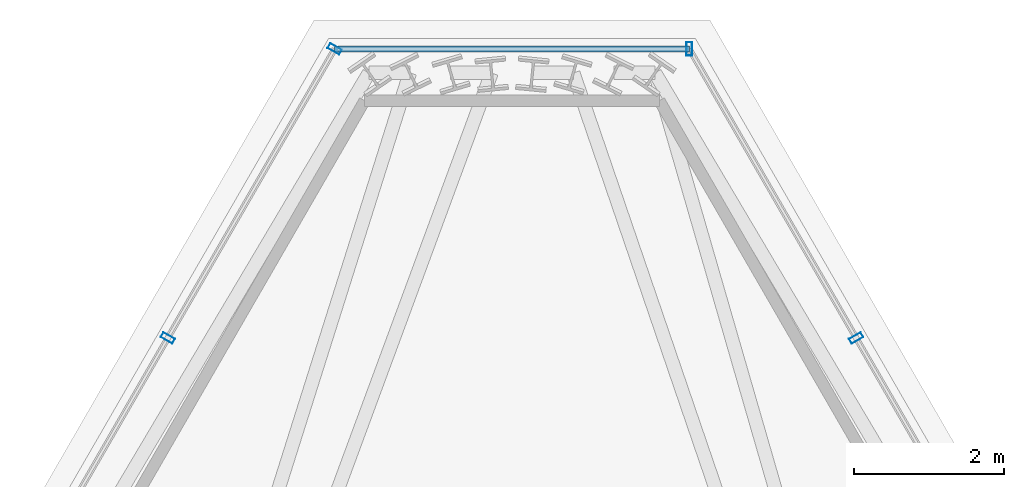
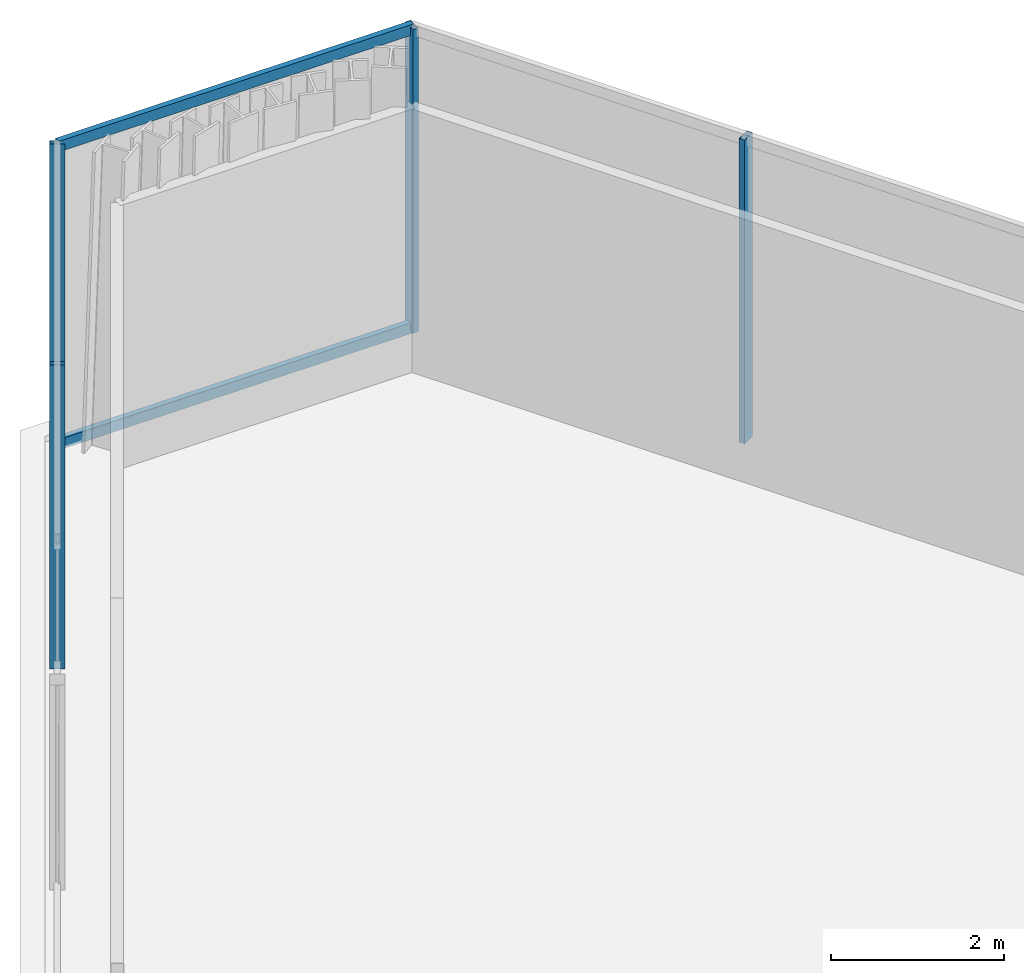
# One storey, part 26 of 32: 6 members, 3 elements without a shape of their own.
"""IFC4 building model written with IfcOpenShell, lengths in metres."""

import ifcopenshell
import ifcopenshell.guid

model = None  # the IFC model being written
_history = None  # IfcOwnerHistory: only IFC2X3 demands one
_inside = {}  # id of a spatial element -> (the spatial element, [elements in it])
_under = {}  # id of a project, library or spatial element -> (it, [spatial elements below it])
_declared = {}  # id of a project -> (the project, [libraries it declares])
_typed = {}  # id of a type object -> (the type object, [elements of that type])
_made_of = {}  # id of a material, layer set ... -> (it, [elements and type objects made of it])


def new_model(schema):
    """Start an empty IFC model of exactly this schema.

    Asked for "IFC4X3", IfcOpenShell would pick the latest addendum, in which some entities
    have other attributes; the version numbers below select the first issue.
    IFC2X3 requires an IfcOwnerHistory on every rooted entity: one is made here for all.
    """
    global model, _history
    if schema == "IFC4X3":
        model = ifcopenshell.file(schema_version=(4, 3, 0, 0))
    else:
        model = ifcopenshell.file(schema=schema)
    _inside.clear()
    _under.clear()
    _declared.clear()
    _typed.clear()
    _made_of.clear()
    _history = None
    if model.schema == "IFC2X3":
        org = make("IfcOrganization", Name="unknown")
        user = make(
            "IfcPersonAndOrganization",
            ThePerson=make("IfcPerson", FamilyName="unknown"),
            TheOrganization=org,
        )
        app = make(
            "IfcApplication",
            ApplicationDeveloper=org,
            Version="unknown",
            ApplicationFullName="unknown",
            ApplicationIdentifier="unknown",
        )
        _history = make(
            "IfcOwnerHistory",
            OwningUser=user,
            OwningApplication=app,
            ChangeAction="ADDED",
            CreationDate=0,
        )
    return model


def make(cls, **values):
    """One entity of the class cls with the attributes given. An attribute that is None is left unset."""
    return model.create_entity(
        cls, **{name: value for name, value in values.items() if value is not None}
    )


def rooted(cls, **values):
    """An entity with a GlobalId (a new one), such as an element, a storey or a relation."""
    return make(cls, GlobalId=ifcopenshell.guid.new(), OwnerHistory=_history, **values)


def si_unit(unit_type, name, prefix=None):
    """IfcSIUnit, for example si_unit("LENGTHUNIT", "METRE", prefix="MILLI")."""
    return make("IfcSIUnit", UnitType=unit_type, Prefix=prefix, Name=name)


def assignment(units):
    """IfcUnitAssignment: the units of a project."""
    return None if units is None else make("IfcUnitAssignment", Units=units)


def point(xyz):
    """IfcCartesianPoint."""
    return None if xyz is None else make("IfcCartesianPoint", Coordinates=xyz)


def direction(xyz):
    """IfcDirection."""
    return None if xyz is None else make("IfcDirection", DirectionRatios=xyz)


def frame(location, z_axis=None, x_axis=None):
    """IfcAxis2Placement3D, a coordinate frame: its origin and axes. An axis left out is left unset."""
    return make(
        "IfcAxis2Placement3D",
        Location=point(location),
        Axis=direction(z_axis),
        RefDirection=direction(x_axis),
    )


def frame_2d(location, x_axis=None):
    """IfcAxis2Placement2D, a coordinate frame in the plane: its origin and x axis."""
    return make(
        "IfcAxis2Placement2D", Location=point(location), RefDirection=direction(x_axis)
    )


def origin():
    """The frame at (0, 0, 0) with its axes left unset."""
    return frame((0.0, 0.0, 0.0))


def origin_2d():
    """The frame at (0, 0) in the plane with its x axis left unset."""
    return frame_2d((0.0, 0.0))


def place(relative_to, where):
    """IfcLocalPlacement: puts the frame where relative to a parent placement (None: the world)."""
    return make(
        "IfcLocalPlacement", PlacementRelTo=relative_to, RelativePlacement=where
    )


def context(
    kind, dimensions, precision=None, world=None, true_north=None, identifier=None
):
    """IfcGeometricRepresentationContext, for example the 3D "Model" context."""
    return make(
        "IfcGeometricRepresentationContext",
        ContextIdentifier=identifier,
        ContextType=kind,
        CoordinateSpaceDimension=dimensions,
        Precision=precision,
        WorldCoordinateSystem=world,
        TrueNorth=true_north,
    )


def subcontext(parent, identifier, kind, view, scale=None):
    """IfcGeometricRepresentationSubContext, for example "Body" below "Model"."""
    return make(
        "IfcGeometricRepresentationSubContext",
        ContextIdentifier=identifier,
        ContextType=kind,
        ParentContext=parent,
        TargetScale=scale,
        TargetView=view,
    )


def project(units=None, contexts=None):
    """IfcProject with its units and contexts."""
    return rooted(
        "IfcProject",
        Name="project",
        RepresentationContexts=contexts,
        UnitsInContext=assignment(units),
    )


def spatial(cls, under=None, at=None, **own):
    """A site, building, storey or space (cls), placed at a placement, below another one or the project."""
    s = rooted(cls, ObjectPlacement=at, **own)
    if under is not None:
        _under.setdefault(under.id(), (under, []))[1].append(s)
    return s


def profile(cls, at=None, kind="AREA", **sizes):
    """A parametric profile (cls). Its sizes go by their IFC names, for example OverallWidth=200.0."""
    return make(cls, ProfileType=kind, Position=at, **sizes)


def hollow_rectangle(**sizes):
    """IfcRectangleHollowProfileDef."""
    return profile("IfcRectangleHollowProfileDef", **sizes)


def extrude(swept, where, along, depth):
    """IfcExtrudedAreaSolid: the profile swept, set in the frame where, extruded along a direction by depth."""
    return make(
        "IfcExtrudedAreaSolid",
        SweptArea=swept,
        Position=where,
        ExtrudedDirection=direction(along),
        Depth=depth,
    )


def shape(context_of_items, identifier, shape_type, items):
    """IfcShapeRepresentation: the items that make up one representation, for example the "Body"."""
    return make(
        "IfcShapeRepresentation",
        ContextOfItems=context_of_items,
        RepresentationIdentifier=identifier,
        RepresentationType=shape_type,
        Items=items,
    )


def material(Name=None, Category=None):
    """IfcMaterial."""
    return make("IfcMaterial", Name=Name, Category=Category)


def layer(
    of_material, thickness, ventilated=None, Name=None, Category=None, Priority=None
):
    """IfcMaterialLayer: one layer of a wall or slab, of a material (None: an air gap)."""
    return make(
        "IfcMaterialLayer",
        Material=of_material,
        LayerThickness=thickness,
        IsVentilated=ventilated,
        Name=Name,
        Category=Category,
        Priority=Priority,
    )


def layer_set(layers, Name=None):
    """IfcMaterialLayerSet."""
    return make("IfcMaterialLayerSet", MaterialLayers=layers, LayerSetName=Name)


def material_profile(
    of_material, cross_section, Name=None, Category=None, Priority=None
):
    """IfcMaterialProfile: a cross section and its material."""
    return make(
        "IfcMaterialProfile",
        Name=Name,
        Material=of_material,
        Profile=cross_section,
        Priority=Priority,
        Category=Category,
    )


def profile_set(profiles, Name=None, composite=None):
    """IfcMaterialProfileSet."""
    return make(
        "IfcMaterialProfileSet",
        Name=Name,
        MaterialProfiles=profiles,
        CompositeProfile=composite,
    )


def made_of(thing, what):
    """Note that an element or type object is made of a material, layer set ...; save() writes the relation."""
    if what is not None:
        _made_of.setdefault(what.id(), (what, []))[1].append(thing)
    return thing


def type_object(cls, material=None, **own):
    """A type object (cls), such as IfcWallType, which elements share."""
    return made_of(rooted(cls, **own), material)


def element(
    cls,
    number,
    at=None,
    inside=None,
    cuts=None,
    type_object=None,
    material=None,
    context=None,
    identifier="Body",
    shape_type=None,
    held_by="IfcProductDefinitionShape",
    body=None,
    shapes=None,
    **own,
):
    """One element of the class cls, such as IfcWall. Its Tag is "e" and its number.

    at: its placement. inside: the storey or other place that contains it. cuts: it is an
    opening in that element (IfcRelVoidsElement). A single representation is given by context,
    identifier, shape_type and body (its items); several are given by shapes. held_by: the class
    of the entity that holds the representations. save() writes the other relations.
    """
    e = rooted(cls, Tag="e%d" % number, ObjectPlacement=at, **own)
    if body is not None:
        shapes = [shape(context, identifier, shape_type, body)]
    if shapes is not None:
        e.Representation = make(held_by, Representations=shapes)
    if inside is not None:
        _inside.setdefault(inside.id(), (inside, []))[1].append(e)
    if cuts is not None:
        rooted(
            "IfcRelVoidsElement", RelatingBuildingElement=cuts, RelatedOpeningElement=e
        )
    if type_object is not None:
        _typed.setdefault(type_object.id(), (type_object, []))[1].append(e)
    return made_of(e, material)


def aggregate(whole, parts):
    """IfcRelAggregates: a whole, such as a stair, and the parts it consists of."""
    return rooted("IfcRelAggregates", RelatingObject=whole, RelatedObjects=parts)


def save(model, path):
    """Write the relations noted so far, then the file.

    IfcRelAggregates (storeys below a building ...), IfcRelContainedInSpatialStructure (elements
    in a storey), IfcRelDefinesByType, IfcRelAssociatesMaterial and IfcRelDeclares: one each for
    every whole, place, type object, material and project.
    """
    for whole, parts in _under.values():
        aggregate(whole, parts)
    for where, things in _inside.values():
        rooted(
            "IfcRelContainedInSpatialStructure",
            RelatedElements=things,
            RelatingStructure=where,
        )
    for kind, things in _typed.values():
        rooted("IfcRelDefinesByType", RelatedObjects=things, RelatingType=kind)
    for what, things in _made_of.values():
        rooted("IfcRelAssociatesMaterial", RelatedObjects=things, RelatingMaterial=what)
    for by, libraries in _declared.values():
        rooted("IfcRelDeclares", RelatingContext=by, RelatedDefinitions=libraries)
    model.write(path)


model = new_model("IFC4")

# Units and contexts
model_context = context("Model", 3, precision=1e-05, world=origin(), true_north=direction((0.0, 1.0)))
body_context = subcontext(model_context, "Body", "Model", "MODEL_VIEW")
ifc_project = project(units=[si_unit("LENGTHUNIT", "METRE"), si_unit("AREAUNIT", "SQUARE_METRE"), si_unit("VOLUMEUNIT", "CUBIC_METRE"), si_unit("PLANEANGLEUNIT", "RADIAN"), si_unit("MASSUNIT", "GRAM", prefix="KILO")], contexts=[model_context])

# Site, building, storey
site_placement = place(None, origin())
site = spatial("IfcSite", under=ifc_project, at=site_placement, CompositionType="ELEMENT")
building_placement = place(site_placement, origin())
building = spatial("IfcBuilding", under=site, at=building_placement, Name="Ndaravel Arena Tower", CompositionType="ELEMENT")
storey_placement = place(building_placement, frame((0.0, 0.0, 278.800048828125)))
storey = spatial("IfcBuildingStorey", under=building, at=storey_placement, Name="L68", CompositionType="ELEMENT", Elevation=278.800048828125)

# Curtain wall, member
ifc_material_1 = material(Name="Aluminium", Category="aluminium")
ifc_layer_1 = layer(ifc_material_1, 0.179931640625)
ifc_layer_set_1 = layer_set([ifc_layer_1], Name="Aluminium")
curtain_wall_type_1 = type_object("IfcCurtainWallType", Name="CW-SYS-03", PredefinedType="NOTDEFINED", material=ifc_layer_set_1)
curtain_wall_1_placement = place(storey_placement, origin())
curtain_wall_1 = element("IfcCurtainWall", 1, at=curtain_wall_1_placement, inside=storey, type_object=curtain_wall_type_1, Name="L68 Faceted Crystal Curtain Wall CW-L68-E03", PredefinedType="NOTDEFINED")
ifc_material_2 = material(Name="Aluminium", Category="aluminium")
ifc_material_profile_1 = material_profile(ifc_material_2, hollow_rectangle(XDim=0.074951171875, YDim=0.179931640625, WallThickness=0.00390625, at=origin_2d()), Name="CW MULLION 75x180x4")
ifc_profile_set_1 = profile_set([ifc_material_profile_1], Name="Aluminium")
member_type_1 = type_object("IfcMemberType", Name="MEM-CW-MUL180", PredefinedType="MULLION", material=ifc_profile_set_1)
member_1_placement = place(storey_placement, frame((46.5859375, 40.061279296875, 0.0), z_axis=(0.0, 0.0, 1.0), x_axis=(-0.5, 0.866025403784, 0.0)))
member_1 = element("IfcMember", 2, at=member_1_placement, type_object=member_type_1, Name="CW-L68-E03 Mullion 08", PredefinedType="MULLION", context=body_context, shape_type="SweptSolid", body=[
    extrude(hollow_rectangle(XDim=0.074951171875, YDim=0.179931640625, WallThickness=0.00390625, at=origin_2d()), origin(), (0.0, 0.0, 1.0), 4.280029296875),
])
aggregate(curtain_wall_1, [member_1])

ifc_material_3 = material(Name="Aluminium", Category="aluminium")
ifc_layer_2 = layer(ifc_material_3, 0.179931640625)
ifc_layer_set_2 = layer_set([ifc_layer_2], Name="Aluminium")
curtain_wall_type_2 = type_object("IfcCurtainWallType", Name="CW-SYS-01", PredefinedType="NOTDEFINED", material=ifc_layer_set_2)
curtain_wall_2_placement = place(storey_placement, origin())
curtain_wall_2 = element("IfcCurtainWall", 3, at=curtain_wall_2_placement, inside=storey, type_object=curtain_wall_type_2, Name="L68 Faceted Crystal Curtain Wall CW-L68-E04", PredefinedType="NOTDEFINED")
member_2_placement = place(storey_placement, frame((44.3623046875, 43.912353515625, 0.0), z_axis=(0.0, 0.0, 1.0), x_axis=(-1.0, 0.0, 0.0)))
member_2 = element("IfcMember", 4, at=member_2_placement, type_object=member_type_1, Name="CW-L68-E04 Mullion 00", PredefinedType="MULLION", context=body_context, shape_type="SweptSolid", body=[
    extrude(hollow_rectangle(XDim=0.074951171875, YDim=0.179931640625, WallThickness=0.00390625, at=origin_2d()), origin(), (0.0, 0.0, 1.0), 4.280029296875),
])

# Curtain wall, members
curtain_wall_3_placement = place(storey_placement, origin())
curtain_wall_3 = element("IfcCurtainWall", 5, at=curtain_wall_3_placement, inside=storey, type_object=curtain_wall_type_1, Name="L68 Faceted Crystal Curtain Wall CW-L68-E05", PredefinedType="NOTDEFINED")
member_3_placement = place(storey_placement, frame((39.6376953125, 43.912353515625, 0.0), z_axis=(0.0, 0.0, 1.0), x_axis=(-0.5, -0.866025403784, 0.0)))
member_3 = element("IfcMember", 6, at=member_3_placement, type_object=member_type_1, Name="CW-L68-E05 Mullion 00", PredefinedType="MULLION", context=body_context, shape_type="SweptSolid", body=[
    extrude(hollow_rectangle(XDim=0.074951171875, YDim=0.179931640625, WallThickness=0.00390625, at=origin_2d()), origin(), (0.0, 0.0, 1.0), 4.280029296875),
])
member_4_placement = place(storey_placement, frame((37.4140625, 40.061279296875, 0.0), z_axis=(0.0, 0.0, 1.0), x_axis=(-0.5, -0.866025403784, 0.0)))
member_4 = element("IfcMember", 7, at=member_4_placement, type_object=member_type_1, Name="CW-L68-E05 Mullion 01", PredefinedType="MULLION", context=body_context, shape_type="SweptSolid", body=[
    extrude(hollow_rectangle(XDim=0.074951171875, YDim=0.179931640625, WallThickness=0.00390625, at=origin_2d()), origin(), (0.0, 0.0, 1.0), 4.280029296875),
])
aggregate(curtain_wall_3, [member_3, member_4])

# Member
ifc_material_4 = material(Name="Aluminium", Category="aluminium")
ifc_material_profile_2 = material_profile(ifc_material_4, hollow_rectangle(XDim=0.074951171875, YDim=0.14990234375, WallThickness=0.00390625, at=origin_2d()), Name="CW TRANSOM 75x150x4")
ifc_profile_set_2 = profile_set([ifc_material_profile_2], Name="Aluminium")
member_type_2 = type_object("IfcMemberType", Name="MEM-CW-TRN150", PredefinedType="USERDEFINED", material=ifc_profile_set_2)
member_5_placement = place(storey_placement, frame((44.3623046875, 43.912353515625, 0.0400390625), z_axis=(-1.0, 0.0, 0.0), x_axis=(0.0, -1.0, 0.0)))
member_5 = element("IfcMember", 8, at=member_5_placement, type_object=member_type_2, Name="CW-L68-E04 Transom 01", ObjectType="TRANSOM", PredefinedType="USERDEFINED", context=body_context, shape_type="SweptSolid", body=[
    extrude(hollow_rectangle(XDim=0.074951171875, YDim=0.14990234375, WallThickness=0.00390625, at=origin_2d()), origin(), (0.0, 0.0, 1.0), 4.724609375),
])

member_6_placement = place(storey_placement, frame((44.3623046875, 43.912353515625, 4.239990234375), z_axis=(-1.0, 0.0, 0.0), x_axis=(0.0, -1.0, 0.0)))
member_6 = element("IfcMember", 9, at=member_6_placement, type_object=member_type_2, Name="CW-L68-E04 Transom 02", ObjectType="TRANSOM", PredefinedType="USERDEFINED", context=body_context, shape_type="SweptSolid", body=[
    extrude(hollow_rectangle(XDim=0.074951171875, YDim=0.14990234375, WallThickness=0.00390625, at=origin_2d()), origin(), (0.0, 0.0, 1.0), 4.724609375),
])

aggregate(curtain_wall_2, [member_2, member_5, member_6])

save(model, "model.ifc")
